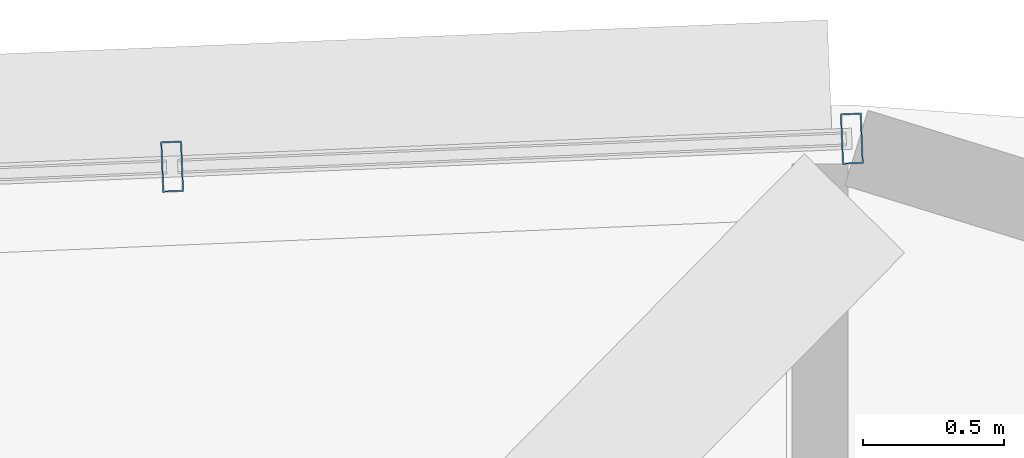
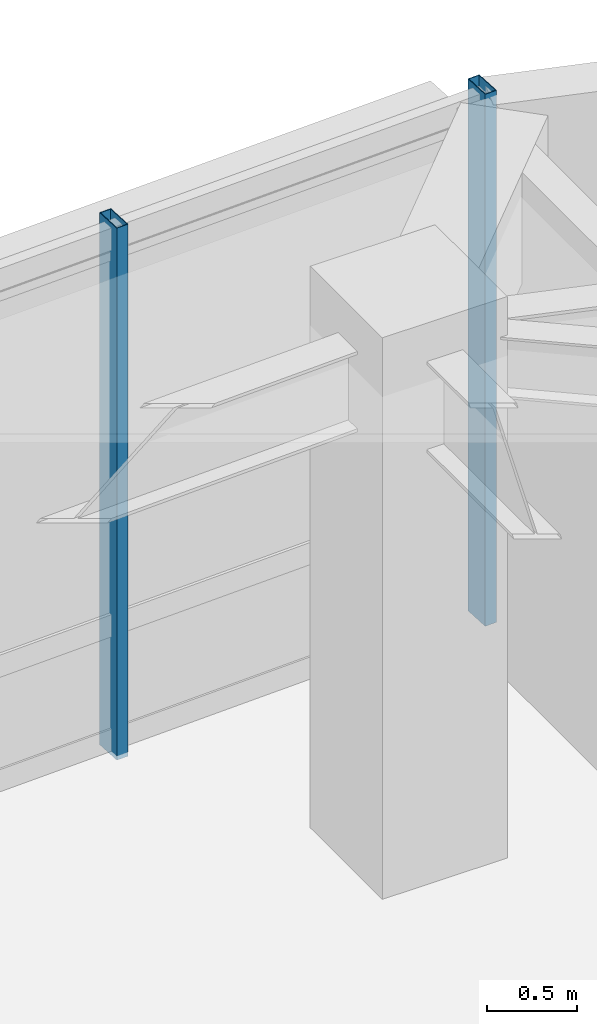
# One storey, part 4 of 12: 2 members, 1 element without a shape of its own.
"""IFC4 building model written with IfcOpenShell, lengths in metres."""

from ifc_helpers import new_model, si_unit, direction, frame, origin, origin_2d, place, context, subcontext, project, spatial, hollow_rectangle, extrude, material, material_profile, profile_set, type_object, element, aggregate, save


model = new_model("IFC4")

# Units and contexts
model_context = context("Model", 3, precision=1e-05, world=origin(), true_north=direction((0.0, 1.0)))
body_context = subcontext(model_context, "Body", "Model", "MODEL_VIEW")
ifc_project = project(units=[si_unit("LENGTHUNIT", "METRE"), si_unit("AREAUNIT", "SQUARE_METRE"), si_unit("VOLUMEUNIT", "CUBIC_METRE"), si_unit("PLANEANGLEUNIT", "RADIAN"), si_unit("MASSUNIT", "GRAM", prefix="KILO")], contexts=[model_context])

# Site, building, storey
site_placement = place(None, origin())
site = spatial("IfcSite", under=ifc_project, at=site_placement, CompositionType="ELEMENT")
building_placement = place(site_placement, origin())
building = spatial("IfcBuilding", under=site, at=building_placement, Name="Zulverin Broadcast Headquarters", CompositionType="ELEMENT")
storey_placement = place(building_placement, frame((0.0, 0.0, 285.800048828125)))
storey = spatial("IfcBuildingStorey", under=building, at=storey_placement, Name="L73", CompositionType="ELEMENT", Elevation=285.800048828125)

# Curtain wall, members
ifc_material_1 = material(Name="High-zone solar-control unitised curtain wall", Category="aluminium")
curtain_wall_type = type_object("IfcCurtainWallType", Name="CW-TWR-UPP", PredefinedType="USERDEFINED", material=ifc_material_1)
curtain_wall_placement = place(storey_placement, origin())
curtain_wall = element("IfcCurtainWall", 1, at=curtain_wall_placement, inside=storey, type_object=curtain_wall_type, Name="L73 Unitised Curtain Wall CW-L73-E5", ObjectType="UNITISED CURTAIN WALL", PredefinedType="USERDEFINED")
ifc_material_2 = material(Name="Anodized pale-metal aluminium alloy 6063-T6", Category="aluminium")
ifc_material_profile = material_profile(ifc_material_2, hollow_rectangle(XDim=0.074951171875, YDim=0.179931640625, WallThickness=0.0048828125, at=origin_2d()), Name="Anodized pale-metal aluminium alloy 6063-T6", Category="aluminium")
ifc_profile_set = profile_set([ifc_material_profile], Name="Anodized pale-metal aluminium alloy 6063-T6")
member_type = type_object("IfcMemberType", Name="CW-MUL-180", PredefinedType="MULLION", material=ifc_profile_set)
member_1_placement = place(storey_placement, frame((46.412841796875, 48.02490234375, -0.030029296875), z_axis=(0.0, 0.0, 1.0), x_axis=(-0.999156343069, -0.041068261531, 0.0)))
member_1 = element("IfcMember", 2, at=member_1_placement, type_object=member_type, Name="CW-L73-E5 Mullion 00", PredefinedType="MULLION", context=body_context, shape_type="SweptSolid", body=[
    extrude(hollow_rectangle(XDim=0.074951171875, YDim=0.179931640625, WallThickness=0.0048828125, at=origin_2d()), origin(), (0.0, 0.0, 1.0), 3.60009765625),
])
member_2_placement = place(storey_placement, frame((43.997314453125, 47.925537109375, -0.030029296875), z_axis=(0.0, 0.0, 1.0), x_axis=(-0.999156343069, -0.041068261531, 0.0)))
member_2 = element("IfcMember", 3, at=member_2_placement, type_object=member_type, Name="CW-L73-E5 Mullion 01", PredefinedType="MULLION", context=body_context, shape_type="SweptSolid", body=[
    extrude(hollow_rectangle(XDim=0.074951171875, YDim=0.179931640625, WallThickness=0.0048828125, at=origin_2d()), origin(), (0.0, 0.0, 1.0), 3.60009765625),
])
aggregate(curtain_wall, [member_1, member_2])

save(model, "model.ifc")
